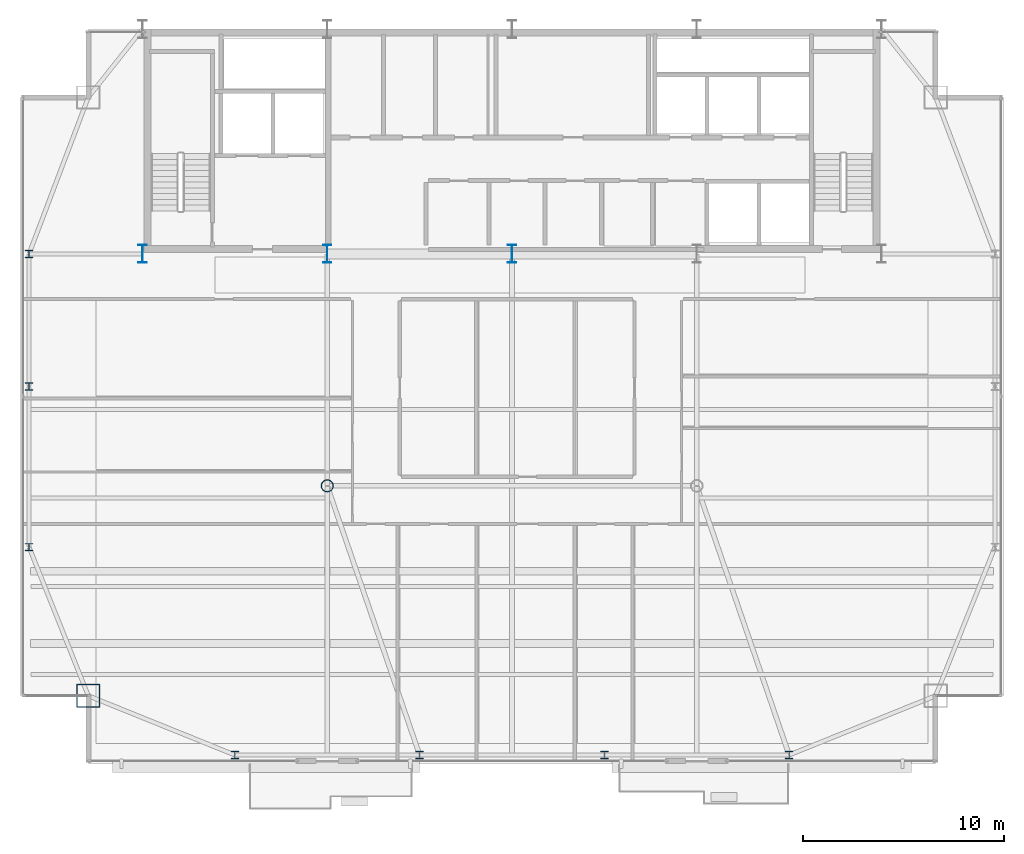
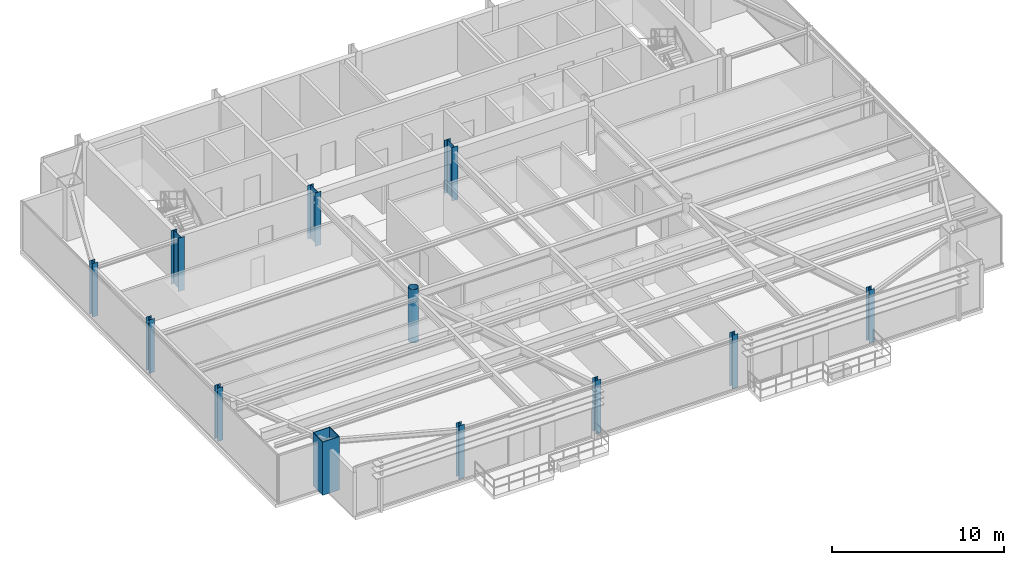
# One storey, part 1 of 28: 12 columns.
"""IFC4 building model written with IfcOpenShell, lengths in metres."""

from ifc_helpers import new_model, si_unit, direction, frame, origin, origin_2d, place, context, subcontext, project, spatial, hollow_rectangle, hollow_circle, i_section, extrude, source, transform, mapped, material, material_profile, profile_set, type_object, type_shapes, element, save


model = new_model("IFC4")

# Units and contexts
model_context = context("Model", 3, precision=1e-05, world=origin(), true_north=direction((0.0, 1.0)))
body_context = subcontext(model_context, "Body", "Model", "MODEL_VIEW")
ifc_project = project(units=[si_unit("LENGTHUNIT", "METRE"), si_unit("AREAUNIT", "SQUARE_METRE"), si_unit("VOLUMEUNIT", "CUBIC_METRE"), si_unit("PLANEANGLEUNIT", "RADIAN"), si_unit("MASSUNIT", "GRAM", prefix="KILO")], contexts=[model_context])

# Site, building, storey
site_placement = place(None, origin())
site = spatial("IfcSite", under=ifc_project, at=site_placement, CompositionType="ELEMENT")
building_placement = place(site_placement, origin())
building = spatial("IfcBuilding", under=site, at=building_placement, Name="Varnel Quay Broadcast Tower", CompositionType="ELEMENT")
storey_placement = place(building_placement, frame((0.0, 0.0, 230.199951171875)))
storey = spatial("IfcBuildingStorey", under=building, at=storey_placement, Name="L57", CompositionType="ELEMENT", Elevation=230.199951171875)

# Columns
ifc_material_1 = material(Name="Structural Steel CSA G40.21 350WT", Category="steel")
ifc_material_profile_1 = material_profile(ifc_material_1, i_section(OverallWidth=0.39990234375, OverallDepth=0.89990234375, WebThickness=0.01611328125, FlangeThickness=0.028076171875, FilletRadius=0.01611328125, at=origin_2d()), Name="WWF900X309")
ifc_profile_set_1 = profile_set([ifc_material_profile_1], Name="Structural Steel CSA G40.21 350WT")
column_type_1 = type_object("IfcColumnType", Name="Col_WWF900X309", PredefinedType="COLUMN", material=ifc_profile_set_1)
shared_shape_1 = source(origin(), body_context, "Body", "SweptSolid", [
    extrude(i_section(OverallWidth=0.39990234375, OverallDepth=0.89990234375, WebThickness=0.01611328125, FlangeThickness=0.028076171875, FilletRadius=0.01611328125, at=origin_2d()), origin(), (0.0, 0.0, 1.0), 3.800048828125),
])
type_shapes(column_type_1, [shared_shape_1])
for number, where, z_axis, x_axis, name in (
    (1, (15.60009765625, 35.60009765625, 0.0), (0.0, 0.0, 1.0), (1.0, 0.0, 0.0), "L57 Column CC-S1"),
    (2, (24.800048828125, 35.60009765625, 0.0), (0.0, 0.0, 1.0), (1.0, 0.0, 0.0), "L57 Column CC-S2"),
    (3, (34.0, 35.60009765625, 0.0), (0.0, 0.0, 1.0), (1.0, 0.0, 0.0), "L57 Column CC-S3"),
):
    element("IfcColumn", number, at=place(storey_placement, frame(where, z_axis=z_axis, x_axis=x_axis)), inside=storey, type_object=column_type_1, Name=name, PredefinedType="COLUMN", context=body_context, shape_type="MappedRepresentation", body=[
        mapped(shared_shape_1, transform((0.0, 0.0, 0.0), x_axis=(1.0, 0.0, 0.0), y_axis=(0.0, 1.0, 0.0), z_axis=(0.0, 0.0, 1.0), scale=1.0)),
    ])
ifc_material_profile_2 = material_profile(ifc_material_1, hollow_rectangle(XDim=1.14990234375, YDim=1.14990234375, WallThickness=0.044921875, at=origin_2d()), Name="BOX1150X1150X45")
ifc_profile_set_2 = profile_set([ifc_material_profile_2], Name="Structural Steel CSA G40.21 350WT")
column_type_2 = type_object("IfcColumnType", Name="Col_BOX1150X1150X45", PredefinedType="COLUMN", material=ifc_profile_set_2)
shared_shape_2 = source(origin(), body_context, "Body", "SweptSolid", [
    extrude(hollow_rectangle(XDim=1.14990234375, YDim=1.14990234375, WallThickness=0.044921875, at=origin_2d()), origin(), (0.0, 0.0, 1.0), 3.800048828125),
])
type_shapes(column_type_2, [shared_shape_2])
column_1_placement = place(storey_placement, frame((12.89990234375, 13.60009765625, 0.0), z_axis=(0.0, 0.0, 1.0), x_axis=(1.0, 0.0, 0.0)))
element("IfcColumn", 4, at=column_1_placement, inside=storey, type_object=column_type_2, Name="L57 Column MC-SW", PredefinedType="COLUMN", context=body_context, shape_type="MappedRepresentation", body=[
    mapped(shared_shape_2, transform((0.0, 0.0, 0.0), x_axis=(1.0, 0.0, 0.0), y_axis=(0.0, 1.0, 0.0), z_axis=(0.0, 0.0, 1.0), scale=1.0)),
])
ifc_material_2 = material(Name="Structural Steel CSA G40.21 350W", Category="steel")
ifc_material_profile_3 = material_profile(ifc_material_2, i_section(OverallWidth=0.368896484375, OverallDepth=0.35595703125, WebThickness=0.01123046875, FlangeThickness=0.01806640625, FilletRadius=0.01611328125, at=origin_2d()), Name="W360X134")
ifc_profile_set_3 = profile_set([ifc_material_profile_3], Name="Structural Steel CSA G40.21 350W")
column_type_3 = type_object("IfcColumnType", Name="Col_W360X134", PredefinedType="COLUMN", material=ifc_profile_set_3)
shared_shape_3 = source(origin(), body_context, "Body", "SweptSolid", [
    extrude(i_section(OverallWidth=0.368896484375, OverallDepth=0.35595703125, WebThickness=0.01123046875, FlangeThickness=0.01806640625, FilletRadius=0.01611328125, at=origin_2d()), origin(), (0.0, 0.0, 1.0), 3.800048828125),
])
type_shapes(column_type_3, [shared_shape_3])
for number, where, z_axis, x_axis, name in (
    (5, (20.199951171875, 10.64990234375, 0.0), (0.0, 0.0, 1.0), (1.0, 0.0, 0.0), "L57 Column TC-S1"),
    (6, (29.39990234375, 10.64990234375, 0.0), (0.0, 0.0, 1.0), (1.0, 0.0, 0.0), "L57 Column TC-S2"),
    (7, (38.60009765625, 10.64990234375, 0.0), (0.0, 0.0, 1.0), (1.0, 0.0, 0.0), "L57 Column TC-S3"),
    (8, (47.800048828125, 10.64990234375, 0.0), (0.0, 0.0, 1.0), (1.0, 0.0, 0.0), "L57 Column TC-S4"),
    (9, (9.949951171875, 21.0, 0.0), (0.0, 0.0, 1.0), (1.0, 0.0, 0.0), "L57 Column TC-W1"),
    (10, (9.949951171875, 29.0, 0.0), (0.0, 0.0, 1.0), (1.0, 0.0, 0.0), "L57 Column TC-W2"),
    (11, (9.949951171875, 35.60009765625, 0.0), (0.0, 0.0, 1.0), (1.0, 0.0, 0.0), "L57 Column TC-W3"),
):
    element("IfcColumn", number, at=place(storey_placement, frame(where, z_axis=z_axis, x_axis=x_axis)), inside=storey, type_object=column_type_3, Name=name, PredefinedType="COLUMN", context=body_context, shape_type="MappedRepresentation", body=[
        mapped(shared_shape_3, transform((0.0, 0.0, 0.0), x_axis=(1.0, 0.0, 0.0), y_axis=(0.0, 1.0, 0.0), z_axis=(0.0, 0.0, 1.0), scale=1.0)),
    ])
ifc_material_profile_4 = material_profile(ifc_material_2, hollow_circle(Radius=0.304931640625, WallThickness=0.02490234375, at=origin_2d()), Name="CHS610X25")
ifc_profile_set_4 = profile_set([ifc_material_profile_4], Name="Structural Steel CSA G40.21 350W")
column_type_4 = type_object("IfcColumnType", Name="Col_CHS610X25", PredefinedType="COLUMN", material=ifc_profile_set_4)
shared_shape_4 = source(origin(), body_context, "Body", "SweptSolid", [
    extrude(hollow_circle(Radius=0.304931640625, WallThickness=0.02490234375, at=origin_2d()), origin(), (0.0, 0.0, 1.0), 3.800048828125),
])
type_shapes(column_type_4, [shared_shape_4])
column_2_placement = place(storey_placement, frame((24.800048828125, 24.050048828125, 0.0), z_axis=(0.0, 0.0, 1.0), x_axis=(1.0, 0.0, 0.0)))
element("IfcColumn", 12, at=column_2_placement, inside=storey, type_object=column_type_4, Name="L57 Column IC-01", PredefinedType="COLUMN", context=body_context, shape_type="MappedRepresentation", body=[
    mapped(shared_shape_4, transform((0.0, 0.0, 0.0), x_axis=(1.0, 0.0, 0.0), y_axis=(0.0, 1.0, 0.0), z_axis=(0.0, 0.0, 1.0), scale=1.0)),
])

save(model, "model.ifc")
